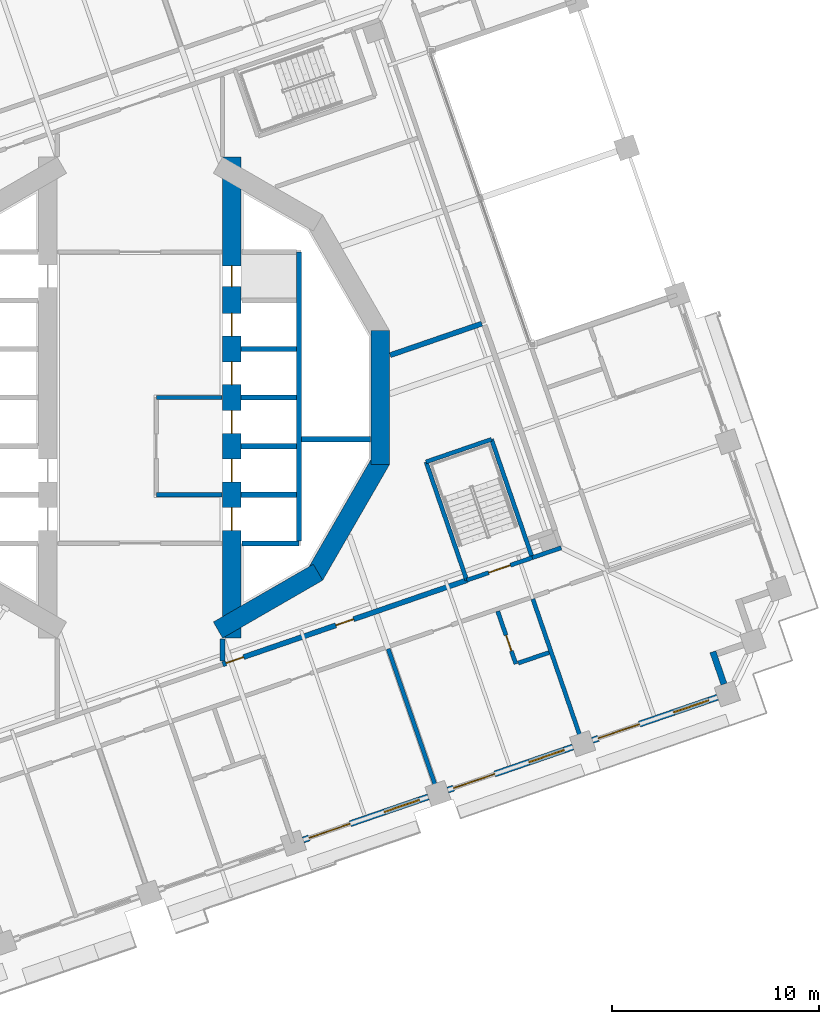
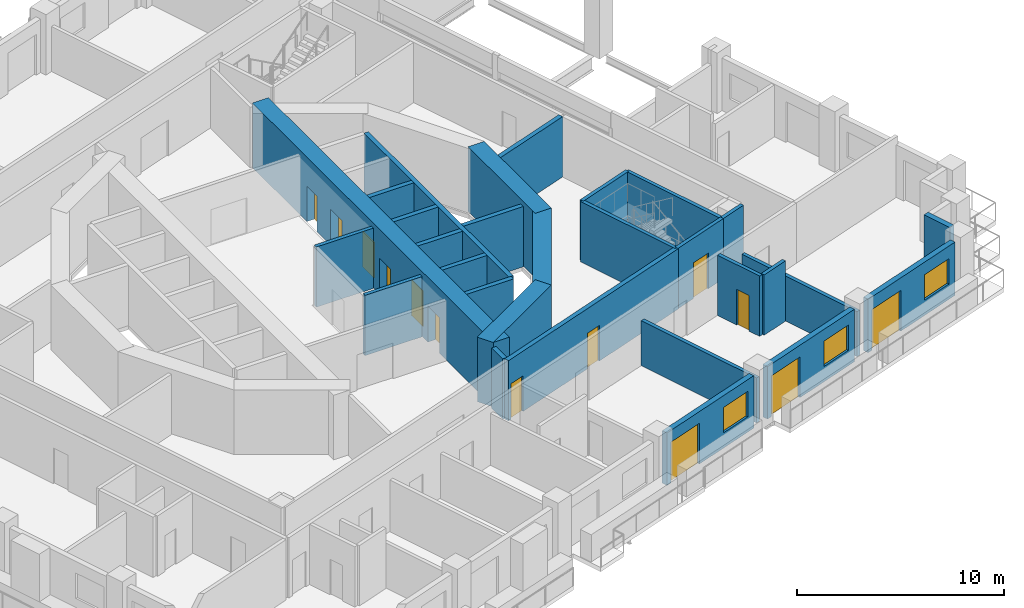
# One storey, part 9 of 19: 29 walls, 13 doors, 3 windows, 16 openings.
"""IFC4 building model written with IfcOpenShell, lengths in metres."""

import ifcopenshell
import ifcopenshell.guid

model = None  # the IFC model being written
_history = None  # IfcOwnerHistory: only IFC2X3 demands one
_inside = {}  # id of a spatial element -> (the spatial element, [elements in it])
_under = {}  # id of a project, library or spatial element -> (it, [spatial elements below it])
_declared = {}  # id of a project -> (the project, [libraries it declares])
_typed = {}  # id of a type object -> (the type object, [elements of that type])
_made_of = {}  # id of a material, layer set ... -> (it, [elements and type objects made of it])


def new_model(schema):
    """Start an empty IFC model of exactly this schema.

    Asked for "IFC4X3", IfcOpenShell would pick the latest addendum, in which some entities
    have other attributes; the version numbers below select the first issue.
    IFC2X3 requires an IfcOwnerHistory on every rooted entity: one is made here for all.
    """
    global model, _history
    if schema == "IFC4X3":
        model = ifcopenshell.file(schema_version=(4, 3, 0, 0))
    else:
        model = ifcopenshell.file(schema=schema)
    _inside.clear()
    _under.clear()
    _declared.clear()
    _typed.clear()
    _made_of.clear()
    _history = None
    if model.schema == "IFC2X3":
        org = make("IfcOrganization", Name="unknown")
        user = make(
            "IfcPersonAndOrganization",
            ThePerson=make("IfcPerson", FamilyName="unknown"),
            TheOrganization=org,
        )
        app = make(
            "IfcApplication",
            ApplicationDeveloper=org,
            Version="unknown",
            ApplicationFullName="unknown",
            ApplicationIdentifier="unknown",
        )
        _history = make(
            "IfcOwnerHistory",
            OwningUser=user,
            OwningApplication=app,
            ChangeAction="ADDED",
            CreationDate=0,
        )
    return model


def make(cls, **values):
    """One entity of the class cls with the attributes given. An attribute that is None is left unset."""
    return model.create_entity(
        cls, **{name: value for name, value in values.items() if value is not None}
    )


def rooted(cls, **values):
    """An entity with a GlobalId (a new one), such as an element, a storey or a relation."""
    return make(cls, GlobalId=ifcopenshell.guid.new(), OwnerHistory=_history, **values)


def si_unit(unit_type, name, prefix=None):
    """IfcSIUnit, for example si_unit("LENGTHUNIT", "METRE", prefix="MILLI")."""
    return make("IfcSIUnit", UnitType=unit_type, Prefix=prefix, Name=name)


def assignment(units):
    """IfcUnitAssignment: the units of a project."""
    return None if units is None else make("IfcUnitAssignment", Units=units)


def point(xyz):
    """IfcCartesianPoint."""
    return None if xyz is None else make("IfcCartesianPoint", Coordinates=xyz)


def direction(xyz):
    """IfcDirection."""
    return None if xyz is None else make("IfcDirection", DirectionRatios=xyz)


def frame(location, z_axis=None, x_axis=None):
    """IfcAxis2Placement3D, a coordinate frame: its origin and axes. An axis left out is left unset."""
    return make(
        "IfcAxis2Placement3D",
        Location=point(location),
        Axis=direction(z_axis),
        RefDirection=direction(x_axis),
    )


def frame_2d(location, x_axis=None):
    """IfcAxis2Placement2D, a coordinate frame in the plane: its origin and x axis."""
    return make(
        "IfcAxis2Placement2D", Location=point(location), RefDirection=direction(x_axis)
    )


def origin():
    """The frame at (0, 0, 0) with its axes left unset."""
    return frame((0.0, 0.0, 0.0))


def place(relative_to, where):
    """IfcLocalPlacement: puts the frame where relative to a parent placement (None: the world)."""
    return make(
        "IfcLocalPlacement", PlacementRelTo=relative_to, RelativePlacement=where
    )


def context(
    kind, dimensions, precision=None, world=None, true_north=None, identifier=None
):
    """IfcGeometricRepresentationContext, for example the 3D "Model" context."""
    return make(
        "IfcGeometricRepresentationContext",
        ContextIdentifier=identifier,
        ContextType=kind,
        CoordinateSpaceDimension=dimensions,
        Precision=precision,
        WorldCoordinateSystem=world,
        TrueNorth=true_north,
    )


def subcontext(parent, identifier, kind, view, scale=None):
    """IfcGeometricRepresentationSubContext, for example "Body" below "Model"."""
    return make(
        "IfcGeometricRepresentationSubContext",
        ContextIdentifier=identifier,
        ContextType=kind,
        ParentContext=parent,
        TargetScale=scale,
        TargetView=view,
    )


def project(units=None, contexts=None):
    """IfcProject with its units and contexts."""
    return rooted(
        "IfcProject",
        Name="project",
        RepresentationContexts=contexts,
        UnitsInContext=assignment(units),
    )


def spatial(cls, under=None, at=None, **own):
    """A site, building, storey or space (cls), placed at a placement, below another one or the project."""
    s = rooted(cls, ObjectPlacement=at, **own)
    if under is not None:
        _under.setdefault(under.id(), (under, []))[1].append(s)
    return s


def profile(cls, at=None, kind="AREA", **sizes):
    """A parametric profile (cls). Its sizes go by their IFC names, for example OverallWidth=200.0."""
    return make(cls, ProfileType=kind, Position=at, **sizes)


def rectangle(**sizes):
    """IfcRectangleProfileDef."""
    return profile("IfcRectangleProfileDef", **sizes)


def extrude(swept, where, along, depth):
    """IfcExtrudedAreaSolid: the profile swept, set in the frame where, extruded along a direction by depth."""
    return make(
        "IfcExtrudedAreaSolid",
        SweptArea=swept,
        Position=where,
        ExtrudedDirection=direction(along),
        Depth=depth,
    )


def shape(context_of_items, identifier, shape_type, items):
    """IfcShapeRepresentation: the items that make up one representation, for example the "Body"."""
    return make(
        "IfcShapeRepresentation",
        ContextOfItems=context_of_items,
        RepresentationIdentifier=identifier,
        RepresentationType=shape_type,
        Items=items,
    )


def material(Name=None, Category=None):
    """IfcMaterial."""
    return make("IfcMaterial", Name=Name, Category=Category)


def layer(
    of_material, thickness, ventilated=None, Name=None, Category=None, Priority=None
):
    """IfcMaterialLayer: one layer of a wall or slab, of a material (None: an air gap)."""
    return make(
        "IfcMaterialLayer",
        Material=of_material,
        LayerThickness=thickness,
        IsVentilated=ventilated,
        Name=Name,
        Category=Category,
        Priority=Priority,
    )


def layer_set(layers, Name=None):
    """IfcMaterialLayerSet."""
    return make("IfcMaterialLayerSet", MaterialLayers=layers, LayerSetName=Name)


def made_of(thing, what):
    """Note that an element or type object is made of a material, layer set ...; save() writes the relation."""
    if what is not None:
        _made_of.setdefault(what.id(), (what, []))[1].append(thing)
    return thing


def type_object(cls, material=None, **own):
    """A type object (cls), such as IfcWallType, which elements share."""
    return made_of(rooted(cls, **own), material)


def element(
    cls,
    number,
    at=None,
    inside=None,
    cuts=None,
    type_object=None,
    material=None,
    context=None,
    identifier="Body",
    shape_type=None,
    held_by="IfcProductDefinitionShape",
    body=None,
    shapes=None,
    **own,
):
    """One element of the class cls, such as IfcWall. Its Tag is "e" and its number.

    at: its placement. inside: the storey or other place that contains it. cuts: it is an
    opening in that element (IfcRelVoidsElement). A single representation is given by context,
    identifier, shape_type and body (its items); several are given by shapes. held_by: the class
    of the entity that holds the representations. save() writes the other relations.
    """
    e = rooted(cls, Tag="e%d" % number, ObjectPlacement=at, **own)
    if body is not None:
        shapes = [shape(context, identifier, shape_type, body)]
    if shapes is not None:
        e.Representation = make(held_by, Representations=shapes)
    if inside is not None:
        _inside.setdefault(inside.id(), (inside, []))[1].append(e)
    if cuts is not None:
        rooted(
            "IfcRelVoidsElement", RelatingBuildingElement=cuts, RelatedOpeningElement=e
        )
    if type_object is not None:
        _typed.setdefault(type_object.id(), (type_object, []))[1].append(e)
    return made_of(e, material)


def fill(opening, filler):
    """IfcRelFillsElement: the door or window that sits in an opening."""
    return rooted(
        "IfcRelFillsElement",
        RelatingOpeningElement=opening,
        RelatedBuildingElement=filler,
    )


def aggregate(whole, parts):
    """IfcRelAggregates: a whole, such as a stair, and the parts it consists of."""
    return rooted("IfcRelAggregates", RelatingObject=whole, RelatedObjects=parts)


def save(model, path):
    """Write the relations noted so far, then the file.

    IfcRelAggregates (storeys below a building ...), IfcRelContainedInSpatialStructure (elements
    in a storey), IfcRelDefinesByType, IfcRelAssociatesMaterial and IfcRelDeclares: one each for
    every whole, place, type object, material and project.
    """
    for whole, parts in _under.values():
        aggregate(whole, parts)
    for where, things in _inside.values():
        rooted(
            "IfcRelContainedInSpatialStructure",
            RelatedElements=things,
            RelatingStructure=where,
        )
    for kind, things in _typed.values():
        rooted("IfcRelDefinesByType", RelatedObjects=things, RelatingType=kind)
    for what, things in _made_of.values():
        rooted("IfcRelAssociatesMaterial", RelatedObjects=things, RelatingMaterial=what)
    for by, libraries in _declared.values():
        rooted("IfcRelDeclares", RelatingContext=by, RelatedDefinitions=libraries)
    model.write(path)


model = new_model("IFC4")

# Units and contexts
model_context = context("Model", 3, precision=1e-05, world=origin(), true_north=direction((0.0, 1.0)))
body_context = subcontext(model_context, "Body", "Model", "MODEL_VIEW")
ifc_project = project(units=[si_unit("LENGTHUNIT", "METRE"), si_unit("AREAUNIT", "SQUARE_METRE"), si_unit("VOLUMEUNIT", "CUBIC_METRE"), si_unit("PLANEANGLEUNIT", "RADIAN"), si_unit("MASSUNIT", "GRAM", prefix="KILO")], contexts=[model_context])

# Site, building, storey
site_placement = place(None, origin())
site = spatial("IfcSite", under=ifc_project, at=site_placement, CompositionType="ELEMENT")
building_placement = place(site_placement, origin())
building = spatial("IfcBuilding", under=site, at=building_placement, Name="Cantera Rosa Tower", CompositionType="ELEMENT")
storey_placement = place(building_placement, frame((0.0, 0.0, 126.89990234375)))
storey = spatial("IfcBuildingStorey", under=building, at=storey_placement, Name="L26", CompositionType="ELEMENT", Elevation=126.89990234375)

# Walls
ifc_material_1 = material(Name="Gypsum board partition")
ifc_layer_1 = layer(ifc_material_1, 0.199951171875)
ifc_layer_set_1 = layer_set([ifc_layer_1], Name="CORRIDOR WALL 200 H3550")
wall_type_1 = type_object("IfcWallType", Name="CORRIDOR WALL 200 H3550", PredefinedType="PARTITIONING", material=ifc_layer_set_1)
wall_1_placement = place(storey_placement, frame((18.978271484375, -7.7431640625, 0.0), z_axis=(0.0, 0.0, 1.0), x_axis=(0.945529243519, 0.32553717092, 0.0)))
element("IfcWall", 1, at=wall_1_placement, inside=storey, type_object=wall_type_1, Name="CORRIDOR WALL L26-091", PredefinedType="PARTITIONING", context=body_context, shape_type="SweptSolid", body=[
    extrude(rectangle(XDim=1.4765625, YDim=0.199951171875, at=frame_2d((0.73828125, 0.0))), origin(), (0.0, 0.0, 1.0), 3.550048828125),
])
ifc_material_2 = material(Name="Hollow clay masonry with cantera stone cladding", Category="masonry")
ifc_layer_2 = layer(ifc_material_2, 0.300048828125)
ifc_layer_set_2 = layer_set([ifc_layer_2], Name="EW-LOGGIA 300")
wall_type_2 = type_object("IfcWallType", Name="EW-LOGGIA 300", PredefinedType="SOLIDWALL", material=ifc_layer_set_2)
wall_2_placement = place(storey_placement, frame((28.250732421875, -13.857421875, 0.0), z_axis=(0.0, 0.0, 1.0), x_axis=(-0.325666906351, 0.945484566827, 0.0)))
element("IfcWall", 2, at=wall_2_placement, inside=storey, type_object=wall_type_2, Name="EN-L26-W29a", PredefinedType="SOLIDWALL", context=body_context, shape_type="SweptSolid", body=[
    extrude(rectangle(XDim=1.64990234375, YDim=0.300048828125, at=frame_2d((0.824951171875, 0.0))), origin(), (0.0, 0.0, 1.0), 3.5),
])

# Wall, openings, window, door
ifc_material_3 = material(Name="Hollow clay masonry with cantera stone cladding", Category="masonry")
ifc_layer_3 = layer(ifc_material_3, 0.300048828125)
ifc_layer_set_3 = layer_set([ifc_layer_3], Name="EW-LOGGIA 300 H3090")
wall_type_3 = type_object("IfcWallType", Name="EW-LOGGIA 300 H3090", PredefinedType="SOLIDWALL", material=ifc_layer_set_3)
wall_3_placement = place(storey_placement, frame((7.895751953125, -21.39501953125, 0.0), z_axis=(0.0, 0.0, 1.0), x_axis=(0.945524496524, 0.325550958337, 0.0)))
wall_3 = element("IfcWall", 3, at=wall_3_placement, inside=storey, type_object=wall_type_3, Name="EN-L26-W26", PredefinedType="SOLIDWALL", context=body_context, shape_type="SweptSolid", body=[
    extrude(rectangle(XDim=6.39990234375, YDim=0.300048828125, at=frame_2d((3.199951171875, 0.0))), origin(), (0.0, 0.0, 1.0), 3.090087890625),
])
opening_1_placement = place(wall_3_placement, frame((0.300048828125, 0.0, 0.0)))
opening_1 = element("IfcOpeningElement", 4, at=opening_1_placement, cuts=wall_3, Name="Opening L26-TD35", PredefinedType="OPENING", context=body_context, shape_type="SweptSolid", body=[
    extrude(rectangle(XDim=2.10009765625, YDim=2.39990234375, at=frame_2d((1.050048828125, 1.199951171875))), frame((0.0, 0.159912109375, 0.0), z_axis=(0.0, -1.0, 0.0), x_axis=(1.0, 0.0, 0.0)), (0.0, 0.0, 1.0), 0.320068359375),
])
opening_2_placement = place(wall_3_placement, frame((4.14990234375, 0.0, 0.89990234375)))
opening_2 = element("IfcOpeningElement", 5, at=opening_2_placement, cuts=wall_3, Name="Opening L26-W36", PredefinedType="OPENING", context=body_context, shape_type="SweptSolid", body=[
    extrude(rectangle(XDim=1.800048828125, YDim=1.5, at=frame_2d((0.89990234375, 0.75))), frame((0.0, 0.159912109375, 0.0), z_axis=(0.0, -1.0, 0.0), x_axis=(1.0, 0.0, 0.0)), (0.0, 0.0, 1.0), 0.320068359375),
])
ifc_material_4 = material(Name="Aluminium frame with clear glass", Category="aluminium")
window_type = type_object("IfcWindowType", Name="Hotel room window 1800x1500", PartitioningType="DOUBLE_PANEL_VERTICAL", PredefinedType="WINDOW", material=ifc_material_4)
window_1_placement = place(opening_2_placement, origin())
window_1 = element("IfcWindow", 6, at=window_1_placement, inside=storey, type_object=window_type, Name="WINDOW L26-W36", OverallHeight=1.5, OverallWidth=1.800048828125, PartitioningType="SINGLE_PANEL", PredefinedType="WINDOW", context=body_context, shape_type="SweptSolid", body=[
    extrude(rectangle(XDim=1.800048828125, YDim=1.5, at=frame_2d((0.89990234375, 0.75))), frame((0.0, 0.030029296875, 0.0), z_axis=(0.0, -1.0, 0.0), x_axis=(1.0, 0.0, 0.0)), (0.0, 0.0, 1.0), 0.06005859375),
])
fill(opening_2, window_1)
ifc_material_5 = material(Name="Aluminium frame with clear glass", Category="aluminium")
door_type_1 = type_object("IfcDoorType", Name="TD-H 2100x2400", OperationType="NOTDEFINED", PredefinedType="DOOR", material=ifc_material_5)
door_1_placement = place(opening_1_placement, origin())
door_1 = element("IfcDoor", 7, at=door_1_placement, inside=storey, type_object=door_type_1, Name="LOGGIA DOOR L26-TD35", OperationType="SLIDING_TO_LEFT", OverallHeight=2.39990234375, OverallWidth=2.10009765625, PredefinedType="DOOR", context=body_context, shape_type="SweptSolid", body=[
    extrude(rectangle(XDim=2.10009765625, YDim=2.39990234375, at=frame_2d((1.050048828125, 1.199951171875))), frame((0.0, 0.02490234375, 0.0), z_axis=(0.0, -1.0, 0.0), x_axis=(1.0, 0.0, 0.0)), (0.0, 0.0, 1.0), 0.050048828125),
])
fill(opening_1, door_1)

wall_4_placement = place(storey_placement, frame((14.892578125, -18.98583984375, 0.0), z_axis=(0.0, 0.0, 1.0), x_axis=(0.945512753621, 0.325585062219, 0.0)))
wall_4 = element("IfcWall", 8, at=wall_4_placement, inside=storey, type_object=wall_type_3, Name="EN-L26-W27", PredefinedType="SOLIDWALL", context=body_context, shape_type="SweptSolid", body=[
    extrude(rectangle(XDim=6.39990234375, YDim=0.300048828125, at=frame_2d((3.199951171875, 0.0))), origin(), (0.0, 0.0, 1.0), 3.090087890625),
])
opening_3_placement = place(wall_4_placement, frame((0.300048828125, 0.0, 0.0)))
opening_3 = element("IfcOpeningElement", 9, at=opening_3_placement, cuts=wall_4, Name="Opening L26-TD37", PredefinedType="OPENING", context=body_context, shape_type="SweptSolid", body=[
    extrude(rectangle(XDim=2.10009765625, YDim=2.39990234375, at=frame_2d((1.050048828125, 1.199951171875))), frame((0.0, 0.159912109375, 0.0), z_axis=(0.0, -1.0, 0.0), x_axis=(1.0, 0.0, 0.0)), (0.0, 0.0, 1.0), 0.320068359375),
])
opening_4_placement = place(wall_4_placement, frame((4.14990234375, 0.0, 0.89990234375)))
opening_4 = element("IfcOpeningElement", 10, at=opening_4_placement, cuts=wall_4, Name="Opening L26-W38", PredefinedType="OPENING", context=body_context, shape_type="SweptSolid", body=[
    extrude(rectangle(XDim=1.800048828125, YDim=1.5, at=frame_2d((0.89990234375, 0.75))), frame((0.0, 0.159912109375, 0.0), z_axis=(0.0, -1.0, 0.0), x_axis=(1.0, 0.0, 0.0)), (0.0, 0.0, 1.0), 0.320068359375),
])
window_2_placement = place(opening_4_placement, origin())
window_2 = element("IfcWindow", 11, at=window_2_placement, inside=storey, type_object=window_type, Name="WINDOW L26-W38", OverallHeight=1.5, OverallWidth=1.800048828125, PartitioningType="SINGLE_PANEL", PredefinedType="WINDOW", context=body_context, shape_type="SweptSolid", body=[
    extrude(rectangle(XDim=1.800048828125, YDim=1.5, at=frame_2d((0.89990234375, 0.75))), frame((0.0, 0.030029296875, 0.0), z_axis=(0.0, -1.0, 0.0), x_axis=(1.0, 0.0, 0.0)), (0.0, 0.0, 1.0), 0.06005859375),
])
fill(opening_4, window_2)
door_2_placement = place(opening_3_placement, origin())
door_2 = element("IfcDoor", 12, at=door_2_placement, inside=storey, type_object=door_type_1, Name="LOGGIA DOOR L26-TD37", OperationType="SLIDING_TO_LEFT", OverallHeight=2.39990234375, OverallWidth=2.10009765625, PredefinedType="DOOR", context=body_context, shape_type="SweptSolid", body=[
    extrude(rectangle(XDim=2.10009765625, YDim=2.39990234375, at=frame_2d((1.050048828125, 1.199951171875))), frame((0.0, 0.02490234375, 0.0), z_axis=(0.0, -1.0, 0.0), x_axis=(1.0, 0.0, 0.0)), (0.0, 0.0, 1.0), 0.050048828125),
])
fill(opening_3, door_2)

ifc_material_6 = material(Name="Hollow clay masonry with cantera stone cladding", Category="masonry")
ifc_layer_4 = layer(ifc_material_6, 0.300048828125)
ifc_layer_set_4 = layer_set([ifc_layer_4], Name="EW-LOGGIA 300 H3140")
wall_type_4 = type_object("IfcWallType", Name="EW-LOGGIA 300 H3140", PredefinedType="SOLIDWALL", material=ifc_layer_set_4)
wall_5_placement = place(storey_placement, frame((21.889404296875, -16.57666015625, 0.0), z_axis=(0.0, 0.0, 1.0), x_axis=(0.945512753621, 0.325585062219, 0.0)))
wall_5 = element("IfcWall", 13, at=wall_5_placement, inside=storey, type_object=wall_type_4, Name="EN-L26-W28", PredefinedType="SOLIDWALL", context=body_context, shape_type="SweptSolid", body=[
    extrude(rectangle(XDim=6.39990234375, YDim=0.300048828125, at=frame_2d((3.199951171875, 0.0))), origin(), (0.0, 0.0, 1.0), 3.14013671875),
])
opening_5_placement = place(wall_5_placement, frame((0.300048828125, 0.0, 0.0)))
opening_5 = element("IfcOpeningElement", 14, at=opening_5_placement, cuts=wall_5, Name="Opening L26-TD39", PredefinedType="OPENING", context=body_context, shape_type="SweptSolid", body=[
    extrude(rectangle(XDim=2.10009765625, YDim=2.39990234375, at=frame_2d((1.050048828125, 1.199951171875))), frame((0.0, 0.159912109375, 0.0), z_axis=(0.0, -1.0, 0.0), x_axis=(1.0, 0.0, 0.0)), (0.0, 0.0, 1.0), 0.320068359375),
])
opening_6_placement = place(wall_5_placement, frame((4.14990234375, 0.0, 0.89990234375)))
opening_6 = element("IfcOpeningElement", 15, at=opening_6_placement, cuts=wall_5, Name="Opening L26-W40", PredefinedType="OPENING", context=body_context, shape_type="SweptSolid", body=[
    extrude(rectangle(XDim=1.800048828125, YDim=1.5, at=frame_2d((0.89990234375, 0.75))), frame((0.0, 0.159912109375, 0.0), z_axis=(0.0, -1.0, 0.0), x_axis=(1.0, 0.0, 0.0)), (0.0, 0.0, 1.0), 0.320068359375),
])
window_3_placement = place(opening_6_placement, origin())
window_3 = element("IfcWindow", 16, at=window_3_placement, inside=storey, type_object=window_type, Name="WINDOW L26-W40", OverallHeight=1.5, OverallWidth=1.800048828125, PartitioningType="SINGLE_PANEL", PredefinedType="WINDOW", context=body_context, shape_type="SweptSolid", body=[
    extrude(rectangle(XDim=1.800048828125, YDim=1.5, at=frame_2d((0.89990234375, 0.75))), frame((0.0, 0.030029296875, 0.0), z_axis=(0.0, -1.0, 0.0), x_axis=(1.0, 0.0, 0.0)), (0.0, 0.0, 1.0), 0.06005859375),
])
fill(opening_6, window_3)
door_3_placement = place(opening_5_placement, origin())
door_3 = element("IfcDoor", 17, at=door_3_placement, inside=storey, type_object=door_type_1, Name="LOGGIA DOOR L26-TD39", OperationType="SLIDING_TO_LEFT", OverallHeight=2.39990234375, OverallWidth=2.10009765625, PredefinedType="DOOR", context=body_context, shape_type="SweptSolid", body=[
    extrude(rectangle(XDim=2.10009765625, YDim=2.39990234375, at=frame_2d((1.050048828125, 1.199951171875))), frame((0.0, 0.02490234375, 0.0), z_axis=(0.0, -1.0, 0.0), x_axis=(1.0, 0.0, 0.0)), (0.0, 0.0, 1.0), 0.050048828125),
])
fill(opening_5, door_3)

# Wall, opening, door
ifc_material_7 = material(Name="Gypsum board partition")
ifc_layer_5 = layer(ifc_material_7, 0.199951171875)
ifc_layer_set_5 = layer_set([ifc_layer_5], Name="PARTITION 200 H3550")
wall_type_5 = type_object("IfcWallType", Name="PARTITION 200 H3550", PredefinedType="PARTITIONING", material=ifc_layer_set_5)
wall_6_placement = place(storey_placement, frame((18.1845703125, -12.881591796875, 0.0), z_axis=(0.0, 0.0, 1.0), x_axis=(-0.325597751787, 0.945508383903, 0.0)))
wall_6 = element("IfcWall", 18, at=wall_6_placement, inside=storey, type_object=wall_type_5, Name="PARTITION L26-088", PredefinedType="PARTITIONING", context=body_context, shape_type="SweptSolid", body=[
    extrude(rectangle(XDim=2.7001953125, YDim=0.199951171875, at=frame_2d((1.35009765625, 0.0))), origin(), (0.0, 0.0, 1.0), 3.550048828125),
])
opening_7_placement = place(wall_6_placement, frame((0.6640625, 0.0, 0.0)))
opening_7 = element("IfcOpeningElement", 19, at=opening_7_placement, cuts=wall_6, Name="Opening L26-039", PredefinedType="OPENING", context=body_context, shape_type="SweptSolid", body=[
    extrude(rectangle(XDim=0.800048828125, YDim=2.10009765625, at=frame_2d((0.39990234375, 1.050048828125))), frame((0.0, 0.10986328125, 0.0), z_axis=(0.0, -1.0, 0.0), x_axis=(1.0, 0.0, 0.0)), (0.0, 0.0, 1.0), 0.219970703125),
])
ifc_material_8 = material(Name="Timber door leaf", Category="wood")
door_type_2 = type_object("IfcDoorType", Name="BATHROOM DOOR 800x2100", OperationType="NOTDEFINED", PredefinedType="DOOR", material=ifc_material_8)
door_4_placement = place(opening_7_placement, origin())
door_4 = element("IfcDoor", 20, at=door_4_placement, inside=storey, type_object=door_type_2, Name="DOOR L26-039", OperationType="NOTDEFINED", OverallHeight=2.10009765625, OverallWidth=0.800048828125, PredefinedType="DOOR", context=body_context, shape_type="SweptSolid", body=[
    extrude(rectangle(XDim=0.800048828125, YDim=2.10009765625, at=frame_2d((0.39990234375, 1.050048828125))), frame((0.0, 0.02490234375, 0.0), z_axis=(0.0, -1.0, 0.0), x_axis=(1.0, 0.0, 0.0)), (0.0, 0.0, 1.0), 0.050048828125),
])
fill(opening_7, door_4)

# Walls
wall_7_placement = place(storey_placement, frame((19.7919921875, -12.327880859375, 0.0), z_axis=(0.0, 0.0, 1.0), x_axis=(-0.945515753246, -0.325576351052, 0.0)))
element("IfcWall", 21, at=wall_7_placement, inside=storey, type_object=wall_type_5, Name="PARTITION L26-092", PredefinedType="PARTITIONING", context=body_context, shape_type="SweptSolid", body=[
    extrude(rectangle(XDim=1.580078125, YDim=0.199951171875, at=frame_2d((0.7900390625, 0.0))), origin(), (0.0, 0.0, 1.0), 3.550048828125),
])
ifc_material_9 = material(Name="Gypsum board partition")
ifc_layer_6 = layer(ifc_material_9, 0.199951171875)
ifc_layer_set_6 = layer_set([ifc_layer_6], Name="PARTY WALL 200 H2650")
wall_type_6 = type_object("IfcWallType", Name="PARTY WALL 200 H2650", PredefinedType="PARTITIONING", material=ifc_layer_set_6)
wall_8_placement = place(storey_placement, frame((12.010498046875, -12.15185546875, 0.0), z_axis=(0.0, 0.0, 1.0), x_axis=(0.325563917555, -0.945520034471, 0.0)))
element("IfcWall", 22, at=wall_8_placement, inside=storey, type_object=wall_type_6, Name="PARTY WALL L26-077", PredefinedType="PARTITIONING", context=body_context, shape_type="SweptSolid", body=[
    extrude(rectangle(XDim=7.3701171875, YDim=0.199951171875, at=frame_2d((3.68505859375, 0.0))), origin(), (0.0, 0.0, 1.0), 2.650146484375),
])
wall_9_placement = place(storey_placement, frame((19.00732421875, -9.74267578125, 0.0), z_axis=(0.0, 0.0, 1.0), x_axis=(0.325603730276, -0.945506325114, 0.0)))
element("IfcWall", 23, at=wall_9_placement, inside=storey, type_object=wall_type_6, Name="PARTY WALL L26-090", PredefinedType="PARTITIONING", context=body_context, shape_type="SweptSolid", body=[
    extrude(rectangle(XDim=7.369873046875, YDim=0.199951171875, at=frame_2d((3.68505859375, 0.0))), origin(), (0.0, 0.0, 1.0), 2.650146484375),
])
ifc_material_10 = material(Name="Concrete C70/85", Category="concrete")
ifc_layer_7 = layer(ifc_material_10, 0.89990234375)
ifc_layer_set_7 = layer_set([ifc_layer_7], Name="RC CORE WALL 900 C70/85")
wall_type_7 = type_object("IfcWallType", Name="RC CORE WALL 900 C70/85", PredefinedType="SHEAR", material=ifc_layer_set_7)
wall_10_placement = place(storey_placement, frame((11.6240234375, 3.2353515625, 0.0), z_axis=(0.0, 0.0, 1.0), x_axis=(0.0, -1.0, 0.0)))
element("IfcWall", 24, at=wall_10_placement, inside=storey, type_object=wall_type_7, Name="CW-E3 L26", PredefinedType="SHEAR", context=body_context, shape_type="SweptSolid", body=[
    extrude(rectangle(XDim=6.470703125, YDim=0.89990234375, at=frame_2d((3.2353515625, 0.0))), origin(), (0.0, 0.0, 1.0), 3.800048828125),
])
wall_11_placement = place(storey_placement, frame((11.684326171875, -3.01025390625, 0.0), z_axis=(0.0, 0.0, 1.0), x_axis=(-0.499990282633, -0.866031014036, 0.0)))
element("IfcWall", 25, at=wall_11_placement, inside=storey, type_object=wall_type_7, Name="CW-E4 L26", PredefinedType="SHEAR", context=body_context, shape_type="SweptSolid", body=[
    extrude(rectangle(XDim=6.470458984375, YDim=0.89990234375, at=frame_2d((3.2353515625, 0.0))), origin(), (0.0, 0.0, 1.0), 3.800048828125),
])
wall_12_placement = place(storey_placement, frame((8.61376953125, -8.44921875, 0.0), z_axis=(0.0, 0.0, 1.0), x_axis=(-0.866026961591, -0.49999730179, 0.0)))
element("IfcWall", 26, at=wall_12_placement, inside=storey, type_object=wall_type_7, Name="CW-E5 L26", PredefinedType="SHEAR", context=body_context, shape_type="SweptSolid", body=[
    extrude(rectangle(XDim=5.58740234375, YDim=0.89990234375, at=frame_2d((2.793701171875, 0.0))), origin(), (0.0, 0.0, 1.0), 3.800048828125),
])

# Wall, openings, doors
wall_13_placement = place(storey_placement, frame((4.449951171875, -11.632568359375, 0.0), z_axis=(0.0, 0.0, 1.0), x_axis=(0.0, 1.0, 0.0)))
wall_13 = element("IfcWall", 27, at=wall_13_placement, inside=storey, type_object=wall_type_7, Name="CW-E6 L26", PredefinedType="SHEAR", context=body_context, shape_type="SweptSolid", body=[
    extrude(rectangle(XDim=23.26513671875, YDim=0.89990234375, at=frame_2d((11.632568359375, 0.0))), origin(), (0.0, 0.0, 1.0), 3.800048828125),
])
opening_8_placement = place(wall_13_placement, frame((7.5576171875, 0.0, 0.0)))
opening_8 = element("IfcOpeningElement", 28, at=opening_8_placement, cuts=wall_13, Name="Opening LD-FF1-L26", PredefinedType="OPENING", context=body_context, shape_type="SweptSolid", body=[
    extrude(rectangle(XDim=1.10009765625, YDim=2.10009765625, at=frame_2d((0.550048828125, 1.050048828125))), frame((0.0, 0.4599609375, 0.0), z_axis=(0.0, -1.0, 0.0), x_axis=(1.0, 0.0, 0.0)), (0.0, 0.0, 1.0), 0.919921875),
])
opening_9_placement = place(wall_13_placement, frame((9.907470703125, 0.0, 0.0)))
opening_9 = element("IfcOpeningElement", 29, at=opening_9_placement, cuts=wall_13, Name="Opening LD-FF2-L26", PredefinedType="OPENING", context=body_context, shape_type="SweptSolid", body=[
    extrude(rectangle(XDim=1.10009765625, YDim=2.10009765625, at=frame_2d((0.550048828125, 1.050048828125))), frame((0.0, 0.4599609375, 0.0), z_axis=(0.0, -1.0, 0.0), x_axis=(1.0, 0.0, 0.0)), (0.0, 0.0, 1.0), 0.919921875),
])
opening_10_placement = place(wall_13_placement, frame((12.257568359375, 0.0, 0.0)))
opening_10 = element("IfcOpeningElement", 30, at=opening_10_placement, cuts=wall_13, Name="Opening LD-P1-L26", PredefinedType="OPENING", context=body_context, shape_type="SweptSolid", body=[
    extrude(rectangle(XDim=1.10009765625, YDim=2.10009765625, at=frame_2d((0.550048828125, 1.050048828125))), frame((0.0, 0.4599609375, 0.0), z_axis=(0.0, -1.0, 0.0), x_axis=(1.0, 0.0, 0.0)), (0.0, 0.0, 1.0), 0.919921875),
])
opening_11_placement = place(wall_13_placement, frame((14.607421875, 0.0, 0.0)))
opening_11 = element("IfcOpeningElement", 31, at=opening_11_placement, cuts=wall_13, Name="Opening LD-P2-L26", PredefinedType="OPENING", context=body_context, shape_type="SweptSolid", body=[
    extrude(rectangle(XDim=1.10009765625, YDim=2.10009765625, at=frame_2d((0.550048828125, 1.050048828125))), frame((0.0, 0.4599609375, 0.0), z_axis=(0.0, -1.0, 0.0), x_axis=(1.0, 0.0, 0.0)), (0.0, 0.0, 1.0), 0.919921875),
])
opening_12_placement = place(wall_13_placement, frame((5.20751953125, 0.0, 0.0)))
opening_12 = element("IfcOpeningElement", 32, at=opening_12_placement, cuts=wall_13, Name="Opening LD-P6-L26", PredefinedType="OPENING", context=body_context, shape_type="SweptSolid", body=[
    extrude(rectangle(XDim=1.10009765625, YDim=2.10009765625, at=frame_2d((0.550048828125, 1.050048828125))), frame((0.0, 0.4599609375, 0.0), z_axis=(0.0, -1.0, 0.0), x_axis=(1.0, 0.0, 0.0)), (0.0, 0.0, 1.0), 0.919921875),
])
opening_13_placement = place(wall_13_placement, frame((17.007568359375, 0.0, 0.0)))
opening_13 = element("IfcOpeningElement", 33, at=opening_13_placement, cuts=wall_13, Name="Opening SD-L26-14", PredefinedType="OPENING", context=body_context, shape_type="SweptSolid", body=[
    extrude(rectangle(XDim=1.0, YDim=2.10009765625, at=frame_2d((0.5, 1.050048828125))), frame((0.0, 0.4599609375, 0.0), z_axis=(0.0, -1.0, 0.0), x_axis=(1.0, 0.0, 0.0)), (0.0, 0.0, 1.0), 0.919921875),
])
ifc_material_11 = material(Name="Steel S355J2 (EN 10025-2)", Category="steel")
door_type_3 = type_object("IfcDoorType", Name="LANDING DOOR 1100x2100", OperationType="NOTDEFINED", PredefinedType="DOOR", material=ifc_material_11)
door_5_placement = place(opening_8_placement, origin())
door_5 = element("IfcDoor", 34, at=door_5_placement, inside=storey, type_object=door_type_3, Name="LANDING DOOR FF1 L26", OperationType="SLIDING_TO_LEFT", OverallHeight=2.10009765625, OverallWidth=1.10009765625, PredefinedType="DOOR", context=body_context, shape_type="SweptSolid", body=[
    extrude(rectangle(XDim=1.10009765625, YDim=2.10009765625, at=frame_2d((0.550048828125, 1.050048828125))), frame((0.0, 0.02490234375, 0.0), z_axis=(0.0, -1.0, 0.0), x_axis=(1.0, 0.0, 0.0)), (0.0, 0.0, 1.0), 0.050048828125),
])
fill(opening_8, door_5)
door_6_placement = place(opening_9_placement, origin())
door_6 = element("IfcDoor", 35, at=door_6_placement, inside=storey, type_object=door_type_3, Name="LANDING DOOR FF2 L26", OperationType="SLIDING_TO_LEFT", OverallHeight=2.10009765625, OverallWidth=1.10009765625, PredefinedType="DOOR", context=body_context, shape_type="SweptSolid", body=[
    extrude(rectangle(XDim=1.10009765625, YDim=2.10009765625, at=frame_2d((0.550048828125, 1.050048828125))), frame((0.0, 0.02490234375, 0.0), z_axis=(0.0, -1.0, 0.0), x_axis=(1.0, 0.0, 0.0)), (0.0, 0.0, 1.0), 0.050048828125),
])
fill(opening_9, door_6)
door_7_placement = place(opening_10_placement, origin())
door_7 = element("IfcDoor", 36, at=door_7_placement, inside=storey, type_object=door_type_3, Name="LANDING DOOR P1 L26", OperationType="SLIDING_TO_LEFT", OverallHeight=2.10009765625, OverallWidth=1.10009765625, PredefinedType="DOOR", context=body_context, shape_type="SweptSolid", body=[
    extrude(rectangle(XDim=1.10009765625, YDim=2.10009765625, at=frame_2d((0.550048828125, 1.050048828125))), frame((0.0, 0.02490234375, 0.0), z_axis=(0.0, -1.0, 0.0), x_axis=(1.0, 0.0, 0.0)), (0.0, 0.0, 1.0), 0.050048828125),
])
fill(opening_10, door_7)
door_8_placement = place(opening_11_placement, origin())
door_8 = element("IfcDoor", 37, at=door_8_placement, inside=storey, type_object=door_type_3, Name="LANDING DOOR P2 L26", OperationType="SLIDING_TO_LEFT", OverallHeight=2.10009765625, OverallWidth=1.10009765625, PredefinedType="DOOR", context=body_context, shape_type="SweptSolid", body=[
    extrude(rectangle(XDim=1.10009765625, YDim=2.10009765625, at=frame_2d((0.550048828125, 1.050048828125))), frame((0.0, 0.02490234375, 0.0), z_axis=(0.0, -1.0, 0.0), x_axis=(1.0, 0.0, 0.0)), (0.0, 0.0, 1.0), 0.050048828125),
])
fill(opening_11, door_8)
door_9_placement = place(opening_12_placement, origin())
door_9 = element("IfcDoor", 38, at=door_9_placement, inside=storey, type_object=door_type_3, Name="LANDING DOOR P6 L26", OperationType="SLIDING_TO_LEFT", OverallHeight=2.10009765625, OverallWidth=1.10009765625, PredefinedType="DOOR", context=body_context, shape_type="SweptSolid", body=[
    extrude(rectangle(XDim=1.10009765625, YDim=2.10009765625, at=frame_2d((0.550048828125, 1.050048828125))), frame((0.0, 0.02490234375, 0.0), z_axis=(0.0, -1.0, 0.0), x_axis=(1.0, 0.0, 0.0)), (0.0, 0.0, 1.0), 0.050048828125),
])
fill(opening_12, door_9)
ifc_material_12 = material(Name="Timber door leaf", Category="wood")
door_type_4 = type_object("IfcDoorType", Name="SERVICE DOOR 1000x2100", OperationType="NOTDEFINED", PredefinedType="DOOR", material=ifc_material_12)
door_10_placement = place(opening_13_placement, origin())
door_10 = element("IfcDoor", 39, at=door_10_placement, inside=storey, type_object=door_type_4, Name="DOOR L26-SD14", OperationType="NOTDEFINED", OverallHeight=2.10009765625, OverallWidth=1.0, PredefinedType="DOOR", context=body_context, shape_type="SweptSolid", body=[
    extrude(rectangle(XDim=1.0, YDim=2.10009765625, at=frame_2d((0.5, 1.050048828125))), frame((0.0, 0.02490234375, 0.0), z_axis=(0.0, -1.0, 0.0), x_axis=(1.0, 0.0, 0.0)), (0.0, 0.0, 1.0), 0.050048828125),
])
fill(opening_13, door_10)

# Wall
ifc_material_13 = material(Name="Masonry blockwork", Category="masonry")
ifc_layer_8 = layer(ifc_material_13, 0.25)
ifc_layer_set_8 = layer_set([ifc_layer_8], Name="SHAFT WALL 250 H3550")
wall_type_8 = type_object("IfcWallType", Name="SHAFT WALL 250 H3550", PredefinedType="SOLIDWALL", material=ifc_layer_set_8)
wall_14_placement = place(storey_placement, frame((4.0, -12.740478515625, 0.0), z_axis=(0.0, 0.0, 1.0), x_axis=(0.0, 1.0, 0.0)))
element("IfcWall", 40, at=wall_14_placement, inside=storey, type_object=wall_type_8, Name="SHAFT WALL L26-054", PredefinedType="SOLIDWALL", context=body_context, shape_type="SweptSolid", body=[
    extrude(rectangle(XDim=1.0732421875, YDim=0.25, at=frame_2d((0.53662109375, 0.0))), origin(), (0.0, 0.0, 1.0), 3.550048828125),
])

# Wall, openings, doors
wall_15_placement = place(storey_placement, frame((4.0, -12.900634765625, 0.0), z_axis=(0.0, 0.0, 1.0), x_axis=(0.945515789626, 0.325576245398, 0.0)))
wall_15 = element("IfcWall", 41, at=wall_15_placement, inside=storey, type_object=wall_type_8, Name="SHAFT WALL L26-055", PredefinedType="SOLIDWALL", context=body_context, shape_type="SweptSolid", body=[
    extrude(rectangle(XDim=12.491455078125, YDim=0.25, at=frame_2d((6.24560546875, 0.0))), origin(), (0.0, 0.0, 1.0), 3.550048828125),
])
opening_14_placement = place(wall_15_placement, frame((0.174560546875, 0.0, 0.0)))
opening_14 = element("IfcOpeningElement", 42, at=opening_14_placement, cuts=wall_15, Name="Opening L26-008", PredefinedType="OPENING", context=body_context, shape_type="SweptSolid", body=[
    extrude(rectangle(XDim=0.89990234375, YDim=2.10009765625, at=frame_2d((0.449951171875, 1.050048828125))), frame((0.0, 0.135009765625, 0.0), z_axis=(0.0, -1.0, 0.0), x_axis=(1.0, 0.0, 0.0)), (0.0, 0.0, 1.0), 0.27001953125),
])
opening_15_placement = place(wall_15_placement, frame((5.795654296875, 0.0, 0.0)))
opening_15 = element("IfcOpeningElement", 43, at=opening_15_placement, cuts=wall_15, Name="Opening L26-043", PredefinedType="OPENING", context=body_context, shape_type="SweptSolid", body=[
    extrude(rectangle(XDim=0.89990234375, YDim=2.10009765625, at=frame_2d((0.449951171875, 1.050048828125))), frame((0.0, 0.135009765625, 0.0), z_axis=(0.0, -1.0, 0.0), x_axis=(1.0, 0.0, 0.0)), (0.0, 0.0, 1.0), 0.27001953125),
])
ifc_material_14 = material(Name="Timber door leaf", Category="wood")
door_type_5 = type_object("IfcDoorType", Name="SERVICE DOOR 900x2100", OperationType="NOTDEFINED", PredefinedType="DOOR", material=ifc_material_14)
door_11_placement = place(opening_14_placement, origin())
door_11 = element("IfcDoor", 44, at=door_11_placement, inside=storey, type_object=door_type_5, Name="RISER DOOR L26-008", OperationType="NOTDEFINED", OverallHeight=2.10009765625, OverallWidth=0.89990234375, PredefinedType="DOOR", context=body_context, shape_type="SweptSolid", body=[
    extrude(rectangle(XDim=0.89990234375, YDim=2.10009765625, at=frame_2d((0.449951171875, 1.050048828125))), frame((0.0, 0.02490234375, 0.0), z_axis=(0.0, -1.0, 0.0), x_axis=(1.0, 0.0, 0.0)), (0.0, 0.0, 1.0), 0.050048828125),
])
fill(opening_14, door_11)
door_12_placement = place(opening_15_placement, origin())
door_12 = element("IfcDoor", 45, at=door_12_placement, inside=storey, type_object=door_type_5, Name="RISER DOOR L26-043", OperationType="NOTDEFINED", OverallHeight=2.10009765625, OverallWidth=0.89990234375, PredefinedType="DOOR", context=body_context, shape_type="SweptSolid", body=[
    extrude(rectangle(XDim=0.89990234375, YDim=2.10009765625, at=frame_2d((0.449951171875, 1.050048828125))), frame((0.0, 0.02490234375, 0.0), z_axis=(0.0, -1.0, 0.0), x_axis=(1.0, 0.0, 0.0)), (0.0, 0.0, 1.0), 0.050048828125),
])
fill(opening_15, door_12)

# Walls
for number, where, z_axis, x_axis, name in (
    (46, (4.89990234375, -4.699951171875, 0.0), (0.0, 0.0, 1.0), (1.0, 0.0, 0.0), "SHAFT WALL L26-058"),
    (47, (4.89990234375, 0.0, 0.0), (0.0, 0.0, 1.0), (1.0, 0.0, 0.0), "SHAFT WALL L26-059"),
):
    element("IfcWall", number, at=place(storey_placement, frame(where, z_axis=z_axis, x_axis=x_axis)), inside=storey, type_object=wall_type_8, Name=name, PredefinedType="SOLIDWALL", context=body_context, shape_type="SweptSolid", body=[
        extrude(rectangle(XDim=2.675048828125, YDim=0.25, at=frame_2d((1.33740234375, 0.0))), origin(), (0.0, 0.0, 1.0), 3.550048828125),
    ])
wall_16_placement = place(storey_placement, frame((4.929931640625, -7.050048828125, 0.0), z_axis=(0.0, 0.0, 1.0), x_axis=(1.0, 0.0, 0.0)))
element("IfcWall", 48, at=wall_16_placement, inside=storey, type_object=wall_type_8, Name="SHAFT WALL L26-060", PredefinedType="SOLIDWALL", context=body_context, shape_type="SweptSolid", body=[
    extrude(rectangle(XDim=2.77001953125, YDim=0.25, at=frame_2d((1.385009765625, 0.0))), origin(), (0.0, 0.0, 1.0), 3.550048828125),
])
wall_17_placement = place(storey_placement, frame((7.699951171875, -6.929931640625, 0.0), z_axis=(0.0, 0.0, 1.0), x_axis=(0.0, 1.0, 0.0)))
element("IfcWall", 49, at=wall_17_placement, inside=storey, type_object=wall_type_8, Name="SHAFT WALL L26-065", PredefinedType="SOLIDWALL", context=body_context, shape_type="SweptSolid", body=[
    extrude(rectangle(XDim=13.97998046875, YDim=0.25, at=frame_2d((6.989990234375, 0.0))), origin(), (0.0, 0.0, 1.0), 3.550048828125),
])
wall_18_placement = place(storey_placement, frame((7.574951171875, -2.35009765625, 0.0), z_axis=(0.0, 0.0, 1.0), x_axis=(-1.0, 0.0, 0.0)))
element("IfcWall", 50, at=wall_18_placement, inside=storey, type_object=wall_type_8, Name="SHAFT WALL L26-066", PredefinedType="SOLIDWALL", context=body_context, shape_type="SweptSolid", body=[
    extrude(rectangle(XDim=2.675048828125, YDim=0.25, at=frame_2d((1.33740234375, 0.0))), origin(), (0.0, 0.0, 1.0), 3.550048828125),
])
wall_19_placement = place(storey_placement, frame((7.824951171875, -2.0146484375, 0.0), z_axis=(0.0, 0.0, 1.0), x_axis=(1.0, 0.0, 0.0)))
element("IfcWall", 51, at=wall_19_placement, inside=storey, type_object=wall_type_8, Name="SHAFT WALL L26-067", PredefinedType="SOLIDWALL", context=body_context, shape_type="SweptSolid", body=[
    extrude(rectangle(XDim=3.319091796875, YDim=0.25, at=frame_2d((1.65966796875, 0.0))), origin(), (0.0, 0.0, 1.0), 3.550048828125),
])
wall_20_placement = place(storey_placement, frame((7.574951171875, 2.35009765625, 0.0), z_axis=(0.0, 0.0, 1.0), x_axis=(-1.0, 0.0, 0.0)))
element("IfcWall", 52, at=wall_20_placement, inside=storey, type_object=wall_type_8, Name="SHAFT WALL L26-068", PredefinedType="SOLIDWALL", context=body_context, shape_type="SweptSolid", body=[
    extrude(rectangle(XDim=2.675048828125, YDim=0.25, at=frame_2d((1.33740234375, 0.0))), origin(), (0.0, 0.0, 1.0), 3.550048828125),
])
wall_21_placement = place(storey_placement, frame((16.535888671875, 3.57861328125, 0.0), z_axis=(0.0, 0.0, 1.0), x_axis=(-0.945511827889, -0.325587750572, 0.0)))
element("IfcWall", 53, at=wall_21_placement, inside=storey, type_object=wall_type_8, Name="SHAFT WALL L26-085", PredefinedType="SOLIDWALL", context=body_context, shape_type="SweptSolid", body=[
    extrude(rectangle(XDim=4.687255859375, YDim=0.25, at=frame_2d((2.34375, 0.0))), origin(), (0.0, 0.0, 1.0), 3.550048828125),
])
ifc_material_15 = material(Name="Concrete C50/60", Category="concrete")
ifc_layer_9 = layer(ifc_material_15, 0.199951171875)
ifc_layer_set_9 = layer_set([ifc_layer_9], Name="STAIR WALL 200 H3550")
wall_type_9 = type_object("IfcWallType", Name="STAIR WALL 200 H3550", PredefinedType="SOLIDWALL", material=ifc_layer_set_9)
for number, where, z_axis, x_axis, name in (
    (54, (0.800048828125, 0.0, 0.0), (0.0, 0.0, 1.0), (1.0, 0.0, 0.0), "STAIR WALL L26-047"),
    (55, (3.969970703125, -4.699951171875, 0.0), (0.0, 0.0, 1.0), (-1.0, 0.0, 0.0), "STAIR WALL L26-053"),
):
    element("IfcWall", number, at=place(storey_placement, frame(where, z_axis=z_axis, x_axis=x_axis)), inside=storey, type_object=wall_type_9, Name=name, PredefinedType="SOLIDWALL", context=body_context, shape_type="SweptSolid", body=[
        extrude(rectangle(XDim=3.169921875, YDim=0.199951171875, at=frame_2d((1.5849609375, 0.0))), origin(), (0.0, 0.0, 1.0), 3.550048828125),
    ])
wall_22_placement = place(storey_placement, frame((13.839599609375, -3.10888671875, 0.0), z_axis=(0.0, 0.0, 1.0), x_axis=(0.325563172411, -0.945520291041, 0.0)))
element("IfcWall", 56, at=wall_22_placement, inside=storey, type_object=wall_type_9, Name="STAIR WALL L26-081", PredefinedType="SOLIDWALL", context=body_context, shape_type="SweptSolid", body=[
    extrude(rectangle(XDim=6.0546875, YDim=0.199951171875, at=frame_2d((3.02734375, 0.0))), origin(), (0.0, 0.0, 1.0), 3.550048828125),
])

# Wall, opening, door
wall_23_placement = place(storey_placement, frame((15.810791015625, -8.833740234375, 0.0), z_axis=(0.0, 0.0, 1.0), x_axis=(0.945525450469, 0.325548187702, 0.0)))
wall_23 = element("IfcWall", 57, at=wall_23_placement, inside=storey, type_object=wall_type_9, Name="STAIR WALL L26-082", PredefinedType="SOLIDWALL", context=body_context, shape_type="SweptSolid", body=[
    extrude(rectangle(XDim=3.349853515625, YDim=0.199951171875, at=frame_2d((1.6748046875, 0.0))), origin(), (0.0, 0.0, 1.0), 3.550048828125),
])
opening_16_placement = place(wall_23_placement, frame((1.125, 0.0, 0.0)))
opening_16 = element("IfcOpeningElement", 58, at=opening_16_placement, cuts=wall_23, Name="Opening L26-003", PredefinedType="OPENING", context=body_context, shape_type="SweptSolid", body=[
    extrude(rectangle(XDim=1.10009765625, YDim=2.10009765625, at=frame_2d((0.550048828125, 1.050048828125))), frame((0.0, 0.10986328125, 0.0), z_axis=(0.0, -1.0, 0.0), x_axis=(1.0, 0.0, 0.0)), (0.0, 0.0, 1.0), 0.219970703125),
])
ifc_material_16 = material(Name="Steel S355J2 (EN 10025-2)", Category="steel")
door_type_6 = type_object("IfcDoorType", Name="STAIR DOOR 1100x2100", OperationType="NOTDEFINED", PredefinedType="DOOR", material=ifc_material_16)
door_13_placement = place(opening_16_placement, origin())
door_13 = element("IfcDoor", 59, at=door_13_placement, inside=storey, type_object=door_type_6, Name="DOOR L26-003", OperationType="NOTDEFINED", OverallHeight=2.10009765625, OverallWidth=1.10009765625, PredefinedType="DOOR", context=body_context, shape_type="SweptSolid", body=[
    extrude(rectangle(XDim=1.10009765625, YDim=2.10009765625, at=frame_2d((0.550048828125, 1.050048828125))), frame((0.0, 0.02490234375, 0.0), z_axis=(0.0, -1.0, 0.0), x_axis=(1.0, 0.0, 0.0)), (0.0, 0.0, 1.0), 0.050048828125),
])
fill(opening_16, door_13)

# Walls
wall_24_placement = place(storey_placement, frame((17.007080078125, -2.01806640625, 0.0), z_axis=(0.0, 0.0, 1.0), x_axis=(-0.945503015732, -0.325613340087, 0.0)))
element("IfcWall", 60, at=wall_24_placement, inside=storey, type_object=wall_type_9, Name="STAIR WALL L26-086", PredefinedType="SOLIDWALL", context=body_context, shape_type="SweptSolid", body=[
    extrude(rectangle(XDim=3.35009765625, YDim=0.199951171875, at=frame_2d((1.675048828125, 0.0))), origin(), (0.0, 0.0, 1.0), 3.550048828125),
])
wall_25_placement = place(storey_placement, frame((17.007080078125, -2.01806640625, 0.0), z_axis=(0.0, 0.0, 1.0), x_axis=(0.325550760545, -0.945524564625, 0.0)))
element("IfcWall", 61, at=wall_25_placement, inside=storey, type_object=wall_type_9, Name="STAIR WALL L26-087", PredefinedType="SOLIDWALL", context=body_context, shape_type="SweptSolid", body=[
    extrude(rectangle(XDim=6.054931640625, YDim=0.199951171875, at=frame_2d((3.02734375, 0.0))), origin(), (0.0, 0.0, 1.0), 3.550048828125),
])

save(model, "model.ifc")
